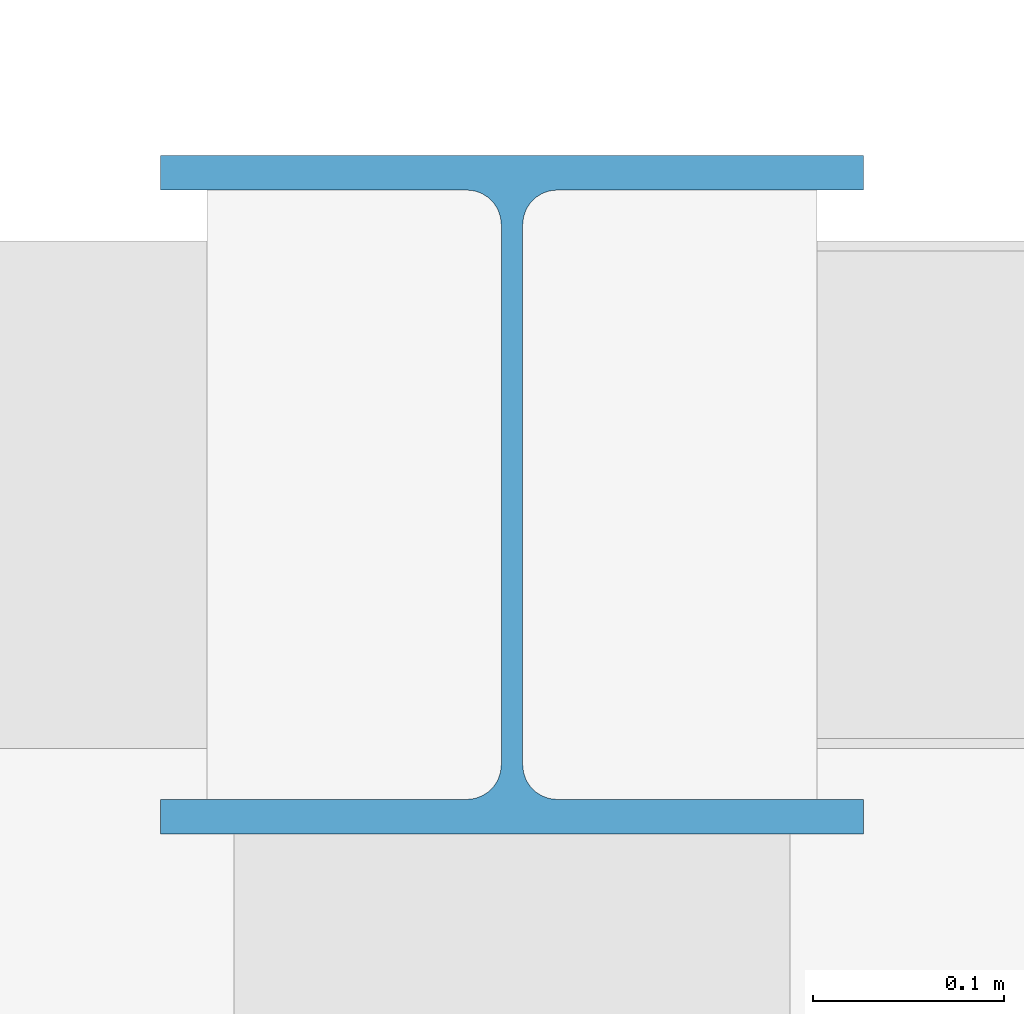
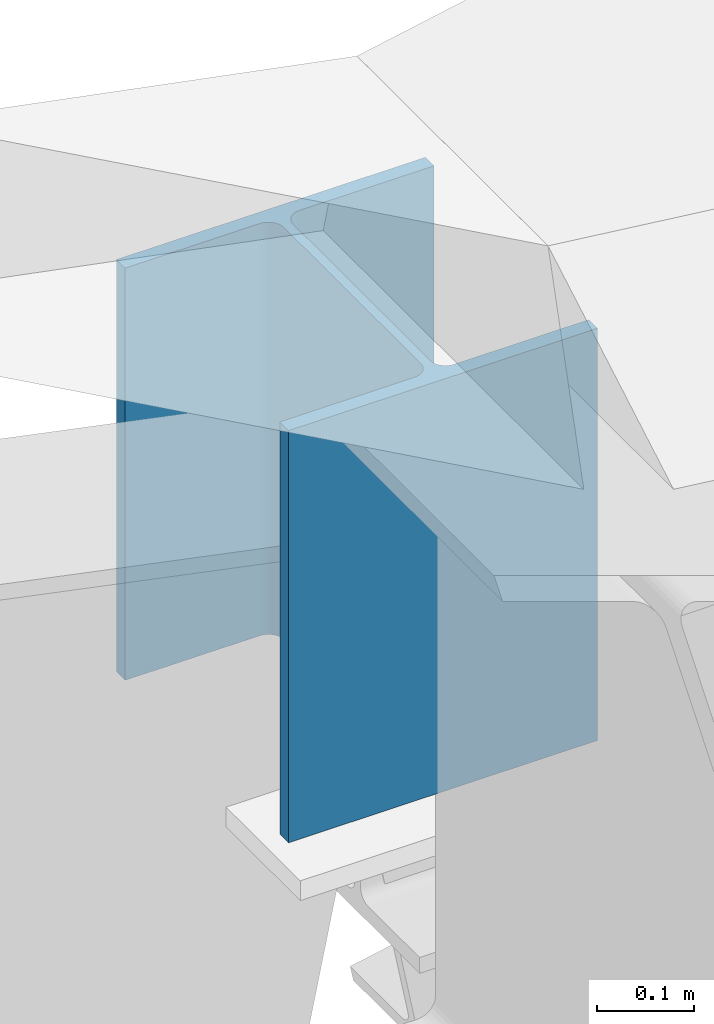
# One storey, part 22 of 94: 1 column.
"""IFC4 building model written with IfcOpenShell, lengths in metres."""

from ifc_helpers import new_model, si_unit, direction, frame, origin, origin_2d, place, context, subcontext, project, spatial, i_section, extrude, material, material_profile, profile_set, type_object, element, save


model = new_model("IFC4")

# Units and contexts
model_context = context("Model", 3, precision=1e-05, world=origin(), true_north=direction((0.0, 1.0)))
body_context = subcontext(model_context, "Body", "Model", "MODEL_VIEW")
ifc_project = project(units=[si_unit("LENGTHUNIT", "METRE"), si_unit("AREAUNIT", "SQUARE_METRE"), si_unit("VOLUMEUNIT", "CUBIC_METRE"), si_unit("PLANEANGLEUNIT", "RADIAN"), si_unit("MASSUNIT", "GRAM", prefix="KILO")], contexts=[model_context])

# Site, building, storey
site_placement = place(None, origin())
site = spatial("IfcSite", under=ifc_project, at=site_placement, CompositionType="ELEMENT")
building_placement = place(site_placement, origin())
building = spatial("IfcBuilding", under=site, at=building_placement, Name="Kalmorath City Hall", CompositionType="ELEMENT")
storey_placement = place(building_placement, frame((0.0, 0.0, 14.699951171875)))
storey = spatial("IfcBuildingStorey", under=building, at=storey_placement, Name="L03", CompositionType="ELEMENT", Elevation=14.699951171875)

# Column
ifc_material = material(Name="Steel ASTM A992 Grade 50", Category="steel")
ifc_material_profile = material_profile(ifc_material, i_section(OverallWidth=0.368896484375, OverallDepth=0.35595703125, WebThickness=0.01123046875, FlangeThickness=0.01806640625, FilletRadius=0.01806640625, at=origin_2d()), Name="W14X90")
ifc_profile_set = profile_set([ifc_material_profile], Name="Steel ASTM A992 Grade 50")
column_type = type_object("IfcColumnType", Name="Steel wide-flange column W14X90", PredefinedType="COLUMN", material=ifc_profile_set)
column_placement = place(storey_placement, frame((151.199951171875, 100.800048828125, 0.0), z_axis=(0.0, 0.0, 1.0), x_axis=(1.0, 0.0, 0.0)))
element("IfcColumn", 1, at=column_placement, inside=storey, type_object=column_type, Name="L03 library valley post SC3-9", PredefinedType="COLUMN", context=body_context, shape_type="SweptSolid", body=[
    extrude(i_section(OverallWidth=0.368896484375, OverallDepth=0.35595703125, WebThickness=0.01123046875, FlangeThickness=0.01806640625, FilletRadius=0.01806640625, at=origin_2d()), origin(), (0.0, 0.0, 1.0), 0.52001953125),
])

save(model, "model.ifc")
